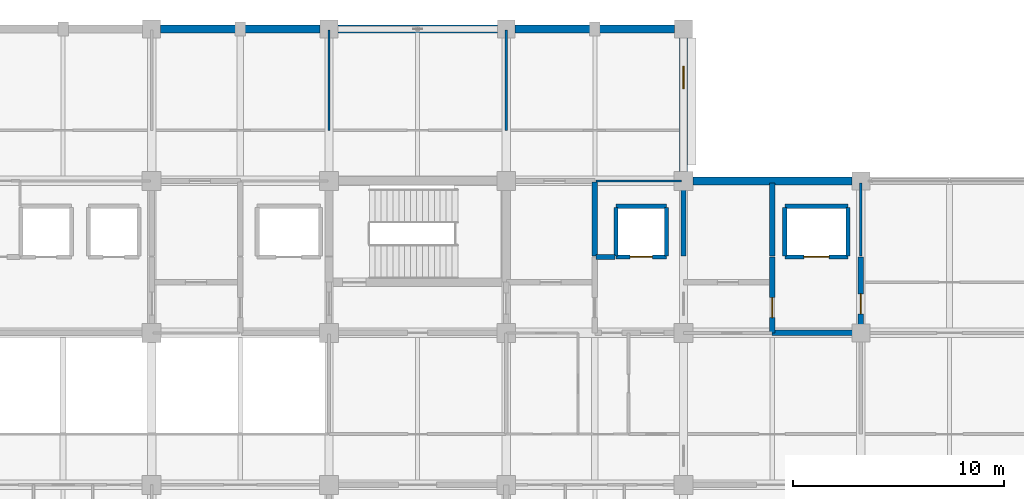
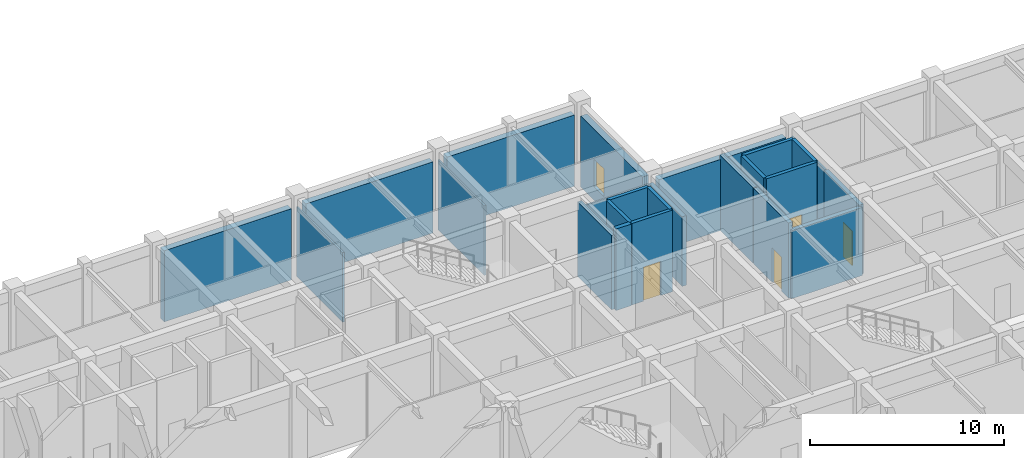
# One storey, part 53 of 68: 24 walls, 4 doors, 1 window, 5 openings.
"""IFC4 building model written with IfcOpenShell, lengths in metres."""

from ifc_helpers import new_model, si_unit, direction, frame, frame_2d, origin, place, context, subcontext, project, spatial, rectangle, extrude, material, layer, layer_set, type_object, element, fill, save


model = new_model("IFC4")

# Units and contexts
model_context = context("Model", 3, precision=1e-05, world=origin(), true_north=direction((0.0, 1.0)))
body_context = subcontext(model_context, "Body", "Model", "MODEL_VIEW")
ifc_project = project(units=[si_unit("LENGTHUNIT", "METRE"), si_unit("AREAUNIT", "SQUARE_METRE"), si_unit("VOLUMEUNIT", "CUBIC_METRE"), si_unit("PLANEANGLEUNIT", "RADIAN"), si_unit("MASSUNIT", "GRAM", prefix="KILO")], contexts=[model_context])

# Site, building, storey
site_placement = place(None, origin())
site = spatial("IfcSite", under=ifc_project, at=site_placement, CompositionType="ELEMENT")
building_placement = place(site_placement, origin())
building = spatial("IfcBuilding", under=site, at=building_placement, Name="Chengyuan Square Courthouse", CompositionType="ELEMENT")
storey_placement = place(building_placement, frame((0.0, 0.0, 5.39990234375)))
storey = spatial("IfcBuildingStorey", under=building, at=storey_placement, Name="L02", CompositionType="ELEMENT", Elevation=5.39990234375)

# Walls
ifc_material_1 = material(Name="Concrete C40", Category="concrete")
ifc_layer_1 = layer(ifc_material_1, 0.3798828125)
ifc_layer_set_1 = layer_set([ifc_layer_1], Name="Concrete C40")
wall_type_1 = type_object("IfcWallType", Name="WL-EW1", PredefinedType="STANDARD", material=ifc_layer_set_1)
wall_1_placement = place(storey_placement, frame((92.820068359375, 115.199951171875, 0.0), z_axis=(0.0, 0.0, 1.0), x_axis=(1.0, 0.0, 0.0)))
element("IfcWall", 1, at=wall_1_placement, inside=storey, type_object=wall_type_1, Name="Exterior Wall WL-L02-E233", PredefinedType="STANDARD", context=body_context, shape_type="SweptSolid", body=[
    extrude(rectangle(XDim=7.559814453125, YDim=0.3798828125, at=frame_2d((3.77978515625, 0.0))), origin(), (0.0, 0.0, 1.0), 4.47021484375),
])
wall_2_placement = place(storey_placement, frame((101.219970703125, 115.199951171875, 0.0), z_axis=(0.0, 0.0, 1.0), x_axis=(1.0, 0.0, 0.0)))
element("IfcWall", 2, at=wall_2_placement, inside=storey, type_object=wall_type_1, Name="Exterior Wall WL-L02-E234", PredefinedType="STANDARD", context=body_context, shape_type="SweptSolid", body=[
    extrude(rectangle(XDim=7.56005859375, YDim=0.3798828125, at=frame_2d((3.780029296875, 0.0))), origin(), (0.0, 0.0, 1.0), 4.47021484375),
])
wall_3_placement = place(storey_placement, frame((109.6201171875, 115.199951171875, 0.0), z_axis=(0.0, 0.0, 1.0), x_axis=(1.0, 0.0, 0.0)))
element("IfcWall", 3, at=wall_3_placement, inside=storey, type_object=wall_type_1, Name="Exterior Wall WL-L02-E235", PredefinedType="STANDARD", context=body_context, shape_type="SweptSolid", body=[
    extrude(rectangle(XDim=7.559814453125, YDim=0.3798828125, at=frame_2d((3.77978515625, 0.0))), origin(), (0.0, 0.0, 1.0), 4.47021484375),
])

# Wall, opening, window
wall_4_placement = place(storey_placement, frame((117.60009765625, 108.445068359375, 0.0), z_axis=(0.0, 0.0, 1.0), x_axis=(0.0, 1.0, 0.0)))
wall_4 = element("IfcWall", 4, at=wall_4_placement, inside=storey, type_object=wall_type_1, Name="Exterior Wall WL-L02-E236", PredefinedType="STANDARD", context=body_context, shape_type="SweptSolid", body=[
    extrude(rectangle(XDim=6.3349609375, YDim=0.3798828125, at=frame_2d((3.16748046875, 0.0))), origin(), (0.0, 0.0, 1.0), 4.47021484375),
])
opening_1_placement = place(wall_4_placement, frame((3.929931640625, 0.0, 0.85009765625)))
opening_1 = element("IfcOpeningElement", 5, at=opening_1_placement, cuts=wall_4, Name="Opening WN-040", PredefinedType="OPENING", context=body_context, shape_type="SweptSolid", body=[
    extrude(rectangle(XDim=1.050048828125, YDim=1.739990234375, at=frame_2d((0.52490234375, 0.8701171875))), frame((0.0, 0.201904296875, 0.0), z_axis=(0.0, -1.0, 0.0), x_axis=(1.0, 0.0, 0.0)), (0.0, 0.0, 1.0), 0.40380859375),
])
ifc_material_2 = material(Name="Thermally Broken Aluminium Triple Low-E Window", Category="aluminium")
window_type = type_object("IfcWindowType", Name="WT-10", PartitioningType="SINGLE_PANEL", PredefinedType="WINDOW", material=ifc_material_2)
window_placement = place(opening_1_placement, origin())
window = element("IfcWindow", 6, at=window_placement, inside=storey, type_object=window_type, Name="Facade Window WN-040", OverallHeight=1.739990234375, OverallWidth=1.050048828125, PartitioningType="SINGLE_PANEL", PredefinedType="WINDOW", context=body_context, shape_type="SweptSolid", body=[
    extrude(rectangle(XDim=1.050048828125, YDim=1.739990234375, at=frame_2d((0.52490234375, 0.8701171875))), frame((0.0, 0.030029296875, 0.0), z_axis=(0.0, -1.0, 0.0), x_axis=(1.0, 0.0, 0.0)), (0.0, 0.0, 1.0), 0.06005859375),
])
fill(opening_1, window)

# Walls
wall_5_placement = place(storey_placement, frame((118.044921875, 108.0, 0.0), z_axis=(0.0, 0.0, 1.0), x_axis=(1.0, 0.0, 0.0)))
element("IfcWall", 7, at=wall_5_placement, inside=storey, type_object=wall_type_1, Name="Exterior Wall WL-L02-E237", PredefinedType="STANDARD", context=body_context, shape_type="SweptSolid", body=[
    extrude(rectangle(XDim=7.53515625, YDim=0.3798828125, at=frame_2d((3.767578125, 0.0))), origin(), (0.0, 0.0, 1.0), 4.47021484375),
])
ifc_layer_2 = layer(ifc_material_1, 0.25)
ifc_layer_set_2 = layer_set([ifc_layer_2], Name="Concrete C40")
wall_type_2 = type_object("IfcWallType", Name="WL-FW1", PredefinedType="STANDARD", material=ifc_layer_set_2)
wall_6_placement = place(storey_placement, frame((121.800048828125, 100.800048828125, 0.0), z_axis=(0.0, 0.0, 1.0), x_axis=(1.0, 0.0, 0.0)))
element("IfcWall", 8, at=wall_6_placement, inside=storey, type_object=wall_type_2, Name="Interior Wall WL-L02-I1146", PredefinedType="STANDARD", context=body_context, shape_type="SweptSolid", body=[
    extrude(rectangle(XDim=4.199951171875, YDim=0.25, at=frame_2d((2.10009765625, 0.0))), origin(), (0.0, 0.0, 1.0), 4.27001953125),
])
wall_7_placement = place(storey_placement, frame((113.449951171875, 104.39990234375, 0.0), z_axis=(0.0, 0.0, 1.0), x_axis=(1.0, 0.0, 0.0)))
element("IfcWall", 9, at=wall_7_placement, inside=storey, type_object=wall_type_2, Name="Interior Wall WL-L02-I1172", PredefinedType="STANDARD", context=body_context, shape_type="SweptSolid", body=[
    extrude(rectangle(XDim=0.900146484375, YDim=0.25, at=frame_2d((0.4501953125, 0.0))), origin(), (0.0, 0.0, 1.0), 5.1201171875),
])
wall_8_placement = place(storey_placement, frame((113.39990234375, 104.449951171875, 0.0), z_axis=(0.0, 0.0, 1.0), x_axis=(0.0, 1.0, 0.0)))
element("IfcWall", 10, at=wall_8_placement, inside=storey, type_object=wall_type_2, Name="Interior Wall WL-L02-I1335", PredefinedType="STANDARD", context=body_context, shape_type="SweptSolid", body=[
    extrude(rectangle(XDim=3.5, YDim=0.25, at=frame_2d((1.75, 0.0))), origin(), (0.0, 0.0, 1.0), 4.670166015625),
])
wall_9_placement = place(storey_placement, frame((117.60009765625, 104.449951171875, 0.0), z_axis=(0.0, 0.0, 1.0), x_axis=(0.0, 1.0, 0.0)))
element("IfcWall", 11, at=wall_9_placement, inside=storey, type_object=wall_type_2, Name="Interior Wall WL-L02-I1343", PredefinedType="STANDARD", context=body_context, shape_type="SweptSolid", body=[
    extrude(rectangle(XDim=3.4599609375, YDim=0.25, at=frame_2d((1.72998046875, 0.0))), origin(), (0.0, 0.0, 1.0), 4.3701171875),
])

# Wall, opening, door
wall_10_placement = place(storey_placement, frame((121.800048828125, 100.800048828125, 0.0), z_axis=(0.0, 0.0, 1.0), x_axis=(0.0, 1.0, 0.0)))
wall_10 = element("IfcWall", 12, at=wall_10_placement, inside=storey, type_object=wall_type_2, Name="Interior Wall WL-L02-I1344", PredefinedType="STANDARD", context=body_context, shape_type="SweptSolid", body=[
    extrude(rectangle(XDim=3.599853515625, YDim=0.25, at=frame_2d((1.7998046875, 0.0))), origin(), (0.0, 0.0, 1.0), 4.72021484375),
])
opening_2_placement = place(wall_10_placement, frame((0.72509765625, 0.0, 0.0)))
opening_2 = element("IfcOpeningElement", 13, at=opening_2_placement, cuts=wall_10, Name="Opening DR-1053", PredefinedType="OPENING", context=body_context, shape_type="SweptSolid", body=[
    extrude(rectangle(XDim=0.949951171875, YDim=2.14990234375, at=frame_2d((0.47509765625, 1.074951171875))), frame((0.0, 0.136962890625, 0.0), z_axis=(0.0, -1.0, 0.0), x_axis=(1.0, 0.0, 0.0)), (0.0, 0.0, 1.0), 0.27392578125),
])
ifc_material_3 = material(Name="Steel Q235B Fire Door", Category="steel")
door_type_1 = type_object("IfcDoorType", Name="DT-12", OperationType="NOTDEFINED", PredefinedType="DOOR", material=ifc_material_3)
door_1_placement = place(opening_2_placement, origin())
door_1 = element("IfcDoor", 14, at=door_1_placement, inside=storey, type_object=door_type_1, Name="Interior Door DR-1053", OperationType="SINGLE_SWING_LEFT", OverallHeight=2.14990234375, OverallWidth=0.949951171875, PredefinedType="DOOR", context=body_context, shape_type="SweptSolid", body=[
    extrude(rectangle(XDim=0.949951171875, YDim=2.14990234375, at=frame_2d((0.47509765625, 1.074951171875))), frame((0.0, 0.02490234375, 0.0), z_axis=(0.0, -1.0, 0.0), x_axis=(1.0, 0.0, 0.0)), (0.0, 0.0, 1.0), 0.050048828125),
])
fill(opening_2, door_1)

# Wall
wall_11_placement = place(storey_placement, frame((121.800048828125, 104.449951171875, 0.0), z_axis=(0.0, 0.0, 1.0), x_axis=(0.0, 1.0, 0.0)))
element("IfcWall", 15, at=wall_11_placement, inside=storey, type_object=wall_type_2, Name="Interior Wall WL-L02-I1345", PredefinedType="STANDARD", context=body_context, shape_type="SweptSolid", body=[
    extrude(rectangle(XDim=3.4599609375, YDim=0.25, at=frame_2d((1.72998046875, 0.0))), origin(), (0.0, 0.0, 1.0), 4.72021484375),
])

# Wall, opening, door
wall_12_placement = place(storey_placement, frame((126.0, 100.800048828125, 0.0), z_axis=(0.0, 0.0, 1.0), x_axis=(0.0, 1.0, 0.0)))
wall_12 = element("IfcWall", 16, at=wall_12_placement, inside=storey, type_object=wall_type_2, Name="Interior Wall WL-L02-I1352", PredefinedType="STANDARD", context=body_context, shape_type="SweptSolid", body=[
    extrude(rectangle(XDim=3.599853515625, YDim=0.25, at=frame_2d((1.7998046875, 0.0))), origin(), (0.0, 0.0, 1.0), 4.3701171875),
])
opening_3_placement = place(wall_12_placement, frame((0.8974609375, 0.0, 0.0)))
opening_3 = element("IfcOpeningElement", 17, at=opening_3_placement, cuts=wall_12, Name="Opening DR-1056", PredefinedType="OPENING", context=body_context, shape_type="SweptSolid", body=[
    extrude(rectangle(XDim=0.949951171875, YDim=2.14990234375, at=frame_2d((0.47509765625, 1.074951171875))), frame((0.0, 0.136962890625, 0.0), z_axis=(0.0, -1.0, 0.0), x_axis=(1.0, 0.0, 0.0)), (0.0, 0.0, 1.0), 0.27392578125),
])
door_2_placement = place(opening_3_placement, origin())
door_2 = element("IfcDoor", 18, at=door_2_placement, inside=storey, type_object=door_type_1, Name="Interior Door DR-1056", OperationType="SINGLE_SWING_RIGHT", OverallHeight=2.14990234375, OverallWidth=0.949951171875, PredefinedType="DOOR", context=body_context, shape_type="SweptSolid", body=[
    extrude(rectangle(XDim=0.949951171875, YDim=2.14990234375, at=frame_2d((0.47509765625, 1.074951171875))), frame((0.0, 0.02490234375, 0.0), z_axis=(0.0, -1.0, 0.0), x_axis=(1.0, 0.0, 0.0)), (0.0, 0.0, 1.0), 0.050048828125),
])
fill(opening_3, door_2)

# Walls
ifc_material_4 = material(Name="Gypsum Plasterboard Acoustic Stud Partition")
ifc_layer_3 = layer(ifc_material_4, 0.10009765625)
ifc_layer_set_3 = layer_set([ifc_layer_3], Name="Gypsum Plasterboard Acoustic Stud Partition")
wall_type_3 = type_object("IfcWallType", Name="WL-PT6", PredefinedType="STANDARD", material=ifc_layer_set_3)
wall_13_placement = place(storey_placement, frame((113.449951171875, 108.0, 0.0), z_axis=(0.0, 0.0, 1.0), x_axis=(1.0, 0.0, 0.0)))
element("IfcWall", 19, at=wall_13_placement, inside=storey, type_object=wall_type_3, Name="Interior Wall WL-L02-I1197", PredefinedType="STANDARD", context=body_context, shape_type="SweptSolid", body=[
    extrude(rectangle(XDim=4.06005859375, YDim=0.10009765625, at=frame_2d((2.030029296875, 0.0))), origin(), (0.0, 0.0, 1.0), 4.27001953125),
])
for number, where, z_axis, x_axis, name in (
    (20, (100.800048828125, 110.39990234375, 0.0), (0.0, 0.0, 1.0), (0.0, 1.0, 0.0), "Interior Wall WL-L02-I1324"),
    (21, (109.199951171875, 110.39990234375, 0.0), (0.0, 0.0, 1.0), (0.0, 1.0, 0.0), "Interior Wall WL-L02-I1331"),
):
    element("IfcWall", number, at=place(storey_placement, frame(where, z_axis=z_axis, x_axis=x_axis)), inside=storey, type_object=wall_type_3, Name=name, PredefinedType="STANDARD", context=body_context, shape_type="SweptSolid", body=[
        extrude(rectangle(XDim=4.760009765625, YDim=0.10009765625, at=frame_2d((2.3798828125, 0.0))), origin(), (0.0, 0.0, 1.0), 4.3701171875),
    ])
wall_14_placement = place(storey_placement, frame((126.0, 104.449951171875, 0.0), z_axis=(0.0, 0.0, 1.0), x_axis=(0.0, 1.0, 0.0)))
element("IfcWall", 22, at=wall_14_placement, inside=storey, type_object=wall_type_3, Name="Interior Wall WL-L02-I1353", PredefinedType="STANDARD", context=body_context, shape_type="SweptSolid", body=[
    extrude(rectangle(XDim=3.4599609375, YDim=0.10009765625, at=frame_2d((1.72998046875, 0.0))), origin(), (0.0, 0.0, 1.0), 4.3701171875),
])

# Wall, opening, door
ifc_material_5 = material(Name="Reinforced Masonry Shaft Enclosure", Category="masonry")
ifc_layer_4 = layer(ifc_material_5, 0.199951171875)
ifc_layer_set_4 = layer_set([ifc_layer_4], Name="Reinforced Masonry Shaft Enclosure")
wall_type_4 = type_object("IfcWallType", Name="WL-SH1", PredefinedType="STANDARD", material=ifc_layer_set_4)
wall_15_placement = place(storey_placement, frame((114.39990234375, 104.39990234375, 0.0), z_axis=(0.0, 0.0, 1.0), x_axis=(1.0, 0.0, 0.0)))
wall_15 = element("IfcWall", 23, at=wall_15_placement, inside=storey, type_object=wall_type_4, Name="Interior Wall WL-L02-I1173", PredefinedType="STANDARD", context=body_context, shape_type="SweptSolid", body=[
    extrude(rectangle(XDim=2.400146484375, YDim=0.199951171875, at=frame_2d((1.2001953125, 0.0))), origin(), (0.0, 0.0, 1.0), 5.1201171875),
])
opening_4_placement = place(wall_15_placement, frame((0.675048828125, 0.0, 0.0)))
opening_4 = element("IfcOpeningElement", 24, at=opening_4_placement, cuts=wall_15, Name="Opening LD-052", PredefinedType="OPENING", context=body_context, shape_type="SweptSolid", body=[
    extrude(rectangle(XDim=1.050048828125, YDim=2.14990234375, at=frame_2d((0.52490234375, 1.074951171875))), frame((0.0, 0.112060546875, 0.0), z_axis=(0.0, -1.0, 0.0), x_axis=(1.0, 0.0, 0.0)), (0.0, 0.0, 1.0), 0.223876953125),
])
ifc_material_6 = material(Name="Stainless Steel S30408 Lift Landing Door", Category="steel")
door_type_2 = type_object("IfcDoorType", Name="DT-08", OperationType="DOUBLE_DOOR_SLIDING", PredefinedType="DOOR", material=ifc_material_6)
door_3_placement = place(opening_4_placement, origin())
door_3 = element("IfcDoor", 25, at=door_3_placement, inside=storey, type_object=door_type_2, Name="Lift Landing Door LF-C2 L02", OperationType="DOUBLE_DOOR_SLIDING", OverallHeight=2.14990234375, OverallWidth=1.050048828125, PredefinedType="DOOR", context=body_context, shape_type="SweptSolid", body=[
    extrude(rectangle(XDim=1.050048828125, YDim=2.14990234375, at=frame_2d((0.52490234375, 1.074951171875))), frame((0.0, 0.02490234375, 0.0), z_axis=(0.0, -1.0, 0.0), x_axis=(1.0, 0.0, 0.0)), (0.0, 0.0, 1.0), 0.050048828125),
])
fill(opening_4, door_3)

wall_16_placement = place(storey_placement, frame((122.39990234375, 104.39990234375, 0.0), z_axis=(0.0, 0.0, 1.0), x_axis=(1.0, 0.0, 0.0)))
wall_16 = element("IfcWall", 26, at=wall_16_placement, inside=storey, type_object=wall_type_4, Name="Interior Wall WL-L02-I1174", PredefinedType="STANDARD", context=body_context, shape_type="SweptSolid", body=[
    extrude(rectangle(XDim=3.0, YDim=0.199951171875, at=frame_2d((1.5, 0.0))), origin(), (0.0, 0.0, 1.0), 5.1201171875),
])
opening_5_placement = place(wall_16_placement, frame((0.89990234375, 0.0, 0.0)))
opening_5 = element("IfcOpeningElement", 27, at=opening_5_placement, cuts=wall_16, Name="Opening LD-040", PredefinedType="OPENING", context=body_context, shape_type="SweptSolid", body=[
    extrude(rectangle(XDim=1.199951171875, YDim=2.14990234375, at=frame_2d((0.60009765625, 1.074951171875))), frame((0.0, 0.112060546875, 0.0), z_axis=(0.0, -1.0, 0.0), x_axis=(1.0, 0.0, 0.0)), (0.0, 0.0, 1.0), 0.223876953125),
])
door_type_3 = type_object("IfcDoorType", Name="DT-05", OperationType="DOUBLE_DOOR_SLIDING", PredefinedType="DOOR", material=ifc_material_6)
door_4_placement = place(opening_5_placement, origin())
door_4 = element("IfcDoor", 28, at=door_4_placement, inside=storey, type_object=door_type_3, Name="Lift Landing Door LF-F4 L02", OperationType="DOUBLE_DOOR_SLIDING", OverallHeight=2.14990234375, OverallWidth=1.199951171875, PredefinedType="DOOR", context=body_context, shape_type="SweptSolid", body=[
    extrude(rectangle(XDim=1.199951171875, YDim=2.14990234375, at=frame_2d((0.60009765625, 1.074951171875))), frame((0.0, 0.02490234375, 0.0), z_axis=(0.0, -1.0, 0.0), x_axis=(1.0, 0.0, 0.0)), (0.0, 0.0, 1.0), 0.050048828125),
])
fill(opening_5, door_4)

# Walls
wall_17_placement = place(storey_placement, frame((114.39990234375, 106.800048828125, 0.0), z_axis=(0.0, 0.0, 1.0), x_axis=(1.0, 0.0, 0.0)))
element("IfcWall", 29, at=wall_17_placement, inside=storey, type_object=wall_type_4, Name="Interior Wall WL-L02-I1183", PredefinedType="STANDARD", context=body_context, shape_type="SweptSolid", body=[
    extrude(rectangle(XDim=2.400146484375, YDim=0.199951171875, at=frame_2d((1.2001953125, 0.0))), origin(), (0.0, 0.0, 1.0), 5.1201171875),
])
wall_18_placement = place(storey_placement, frame((122.39990234375, 106.800048828125, 0.0), z_axis=(0.0, 0.0, 1.0), x_axis=(1.0, 0.0, 0.0)))
element("IfcWall", 30, at=wall_18_placement, inside=storey, type_object=wall_type_4, Name="Interior Wall WL-L02-I1184", PredefinedType="STANDARD", context=body_context, shape_type="SweptSolid", body=[
    extrude(rectangle(XDim=3.0, YDim=0.199951171875, at=frame_2d((1.5, 0.0))), origin(), (0.0, 0.0, 1.0), 5.1201171875),
])
for number, where, z_axis, x_axis, name in (
    (31, (114.39990234375, 104.449951171875, 0.0), (0.0, 0.0, 1.0), (0.0, 1.0, 0.0), "Interior Wall WL-L02-I1336"),
    (32, (116.800048828125, 104.449951171875, 0.0), (0.0, 0.0, 1.0), (0.0, 1.0, 0.0), "Interior Wall WL-L02-I1339"),
    (33, (122.39990234375, 104.449951171875, 0.0), (0.0, 0.0, 1.0), (0.0, 1.0, 0.0), "Interior Wall WL-L02-I1346"),
    (34, (125.39990234375, 104.449951171875, 0.0), (0.0, 0.0, 1.0), (0.0, 1.0, 0.0), "Interior Wall WL-L02-I1347"),
):
    element("IfcWall", number, at=place(storey_placement, frame(where, z_axis=z_axis, x_axis=x_axis)), inside=storey, type_object=wall_type_4, Name=name, PredefinedType="STANDARD", context=body_context, shape_type="SweptSolid", body=[
        extrude(rectangle(XDim=2.300048828125, YDim=0.199951171875, at=frame_2d((1.14990234375, 0.0))), origin(), (0.0, 0.0, 1.0), 5.1201171875),
    ])

save(model, "model.ifc")
